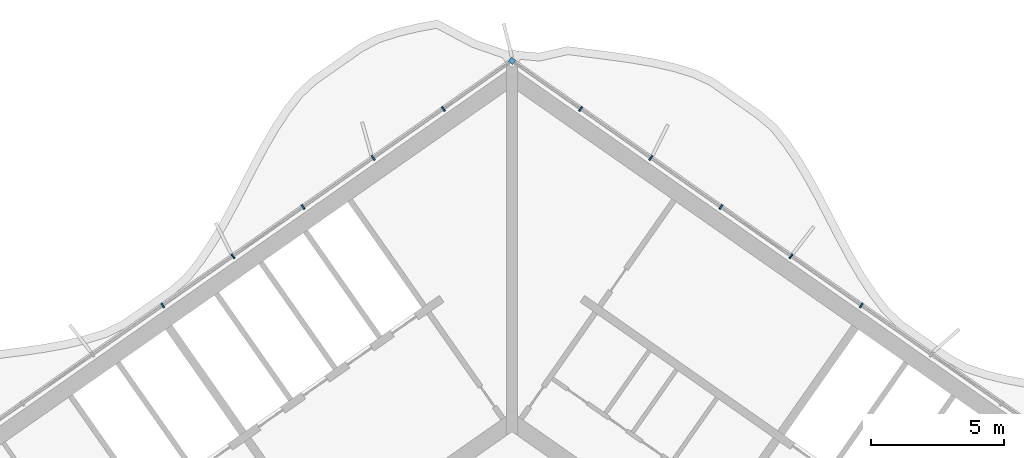
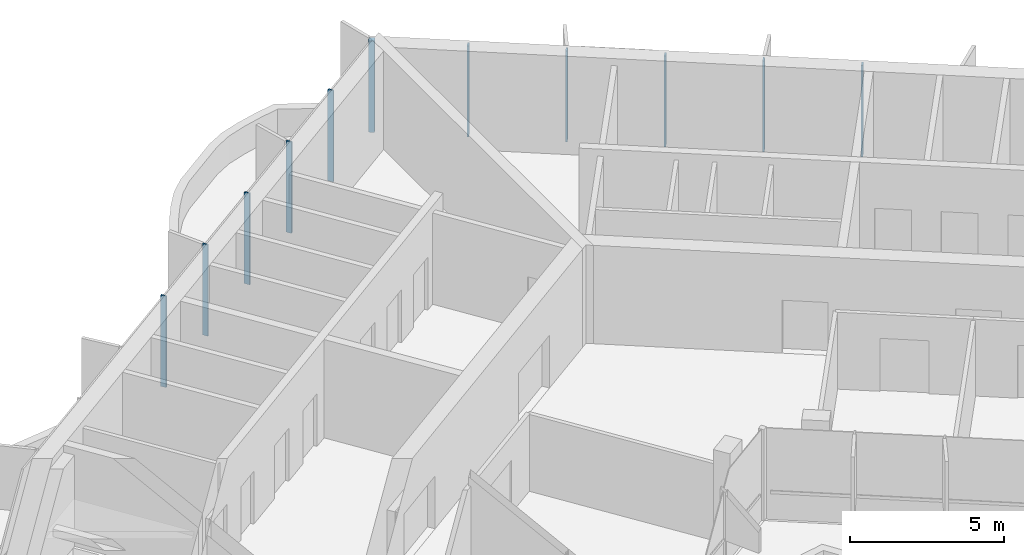
# One storey, part 6 of 18: 11 members, 1 element without a shape of its own.
"""IFC4 building model written with IfcOpenShell, lengths in metres."""

from ifc_helpers import new_model, si_unit, direction, frame, origin, origin_2d, place, context, subcontext, project, spatial, rectangle, extrude, material, material_profile, profile_set, type_object, element, aggregate, save


model = new_model("IFC4")

# Units and contexts
model_context = context("Model", 3, precision=1e-05, world=origin(), true_north=direction((0.0, 1.0)))
body_context = subcontext(model_context, "Body", "Model", "MODEL_VIEW")
ifc_project = project(units=[si_unit("LENGTHUNIT", "METRE"), si_unit("AREAUNIT", "SQUARE_METRE"), si_unit("VOLUMEUNIT", "CUBIC_METRE"), si_unit("PLANEANGLEUNIT", "RADIAN"), si_unit("MASSUNIT", "GRAM", prefix="KILO")], contexts=[model_context])

# Site, building, storey
site_placement = place(None, origin())
site = spatial("IfcSite", under=ifc_project, at=site_placement, CompositionType="ELEMENT")
building_placement = place(site_placement, origin())
building = spatial("IfcBuilding", under=site, at=building_placement, Name="Tel Ilan Convention Tower", CompositionType="ELEMENT")
storey_placement = place(building_placement, frame((0.0, 0.0, 264.39990234375)))
storey = spatial("IfcBuildingStorey", under=building, at=storey_placement, Name="L62", CompositionType="ELEMENT", Elevation=264.39990234375)

# Curtain wall, members
ifc_material_1 = material(Name="Aluminium, bronze anodised", Category="aluminium")
curtain_wall_type = type_object("IfcCurtainWallType", Name="CW2 STICK CURTAIN WALL, SPANDREL PANELS", PredefinedType="NOTDEFINED", material=ifc_material_1)
curtain_wall_placement = place(storey_placement, origin())
curtain_wall = element("IfcCurtainWall", 1, at=curtain_wall_placement, inside=storey, type_object=curtain_wall_type, Name="Curtain wall CW2-47.01", PredefinedType="NOTDEFINED")
ifc_material_2 = material(Name="Aluminium, bronze anodised", Category="aluminium")
ifc_material_profile_1 = material_profile(ifc_material_2, rectangle(XDim=0.199951171875, YDim=0.199951171875, at=origin_2d()), Name="CW CORNER MULLION 200x200")
ifc_profile_set_1 = profile_set([ifc_material_profile_1], Name="Aluminium, bronze anodised")
member_type_1 = type_object("IfcMemberType", Name="CW CORNER MULLION 200x200", PredefinedType="MULLION", material=ifc_profile_set_1)
member_1_placement = place(storey_placement, frame((0.0, 12.696044921875, 0.0), z_axis=(0.0, 0.0, 1.0), x_axis=(-0.819152044289, 0.573576436351, 0.0)))
member_1 = element("IfcMember", 2, at=member_1_placement, type_object=member_type_1, Name="Corner mullion", PredefinedType="MULLION", context=body_context, shape_type="SweptSolid", body=[
    extrude(rectangle(XDim=0.199951171875, YDim=0.199951171875, at=origin_2d()), origin(), (0.0, 0.0, 1.0), 3.6201171875),
])
ifc_material_3 = material(Name="Aluminium, bronze anodised", Category="aluminium")
ifc_material_profile_2 = material_profile(ifc_material_3, rectangle(XDim=0.06005859375, YDim=0.199951171875, at=origin_2d()), Name="CW MULLION 60x200")
ifc_profile_set_2 = profile_set([ifc_material_profile_2], Name="Aluminium, bronze anodised")
member_type_2 = type_object("IfcMemberType", Name="CW MULLION 60x200", PredefinedType="MULLION", material=ifc_profile_set_2)
member_2_placement = place(storey_placement, frame((13.105712890625, 3.519287109375, 0.0), z_axis=(0.0, 0.0, 1.0), x_axis=(-0.819152044289, 0.573576436351, 0.0)))
member_2 = element("IfcMember", 3, at=member_2_placement, type_object=member_type_2, Name="Mullion", PredefinedType="MULLION", context=body_context, shape_type="SweptSolid", body=[
    extrude(rectangle(XDim=0.06005859375, YDim=0.199951171875, at=origin_2d()), origin(), (0.0, 0.0, 1.0), 3.6201171875),
])
member_3_placement = place(storey_placement, frame((10.47314453125, 5.36279296875, 0.0), z_axis=(0.0, 0.0, 1.0), x_axis=(-0.819152044289, 0.573576436351, 0.0)))
member_3 = element("IfcMember", 4, at=member_3_placement, type_object=member_type_2, Name="Mullion", PredefinedType="MULLION", context=body_context, shape_type="SweptSolid", body=[
    extrude(rectangle(XDim=0.06005859375, YDim=0.199951171875, at=origin_2d()), origin(), (0.0, 0.0, 1.0), 3.6201171875),
])
member_4_placement = place(storey_placement, frame((7.840576171875, 7.2060546875, 0.0), z_axis=(0.0, 0.0, 1.0), x_axis=(-0.819152044289, 0.573576436351, 0.0)))
member_4 = element("IfcMember", 5, at=member_4_placement, type_object=member_type_2, Name="Mullion", PredefinedType="MULLION", context=body_context, shape_type="SweptSolid", body=[
    extrude(rectangle(XDim=0.06005859375, YDim=0.199951171875, at=origin_2d()), origin(), (0.0, 0.0, 1.0), 3.6201171875),
])
member_5_placement = place(storey_placement, frame((5.207763671875, 9.049560546875, 0.0), z_axis=(0.0, 0.0, 1.0), x_axis=(-0.819152044289, 0.573576436351, 0.0)))
member_5 = element("IfcMember", 6, at=member_5_placement, type_object=member_type_2, Name="Mullion", PredefinedType="MULLION", context=body_context, shape_type="SweptSolid", body=[
    extrude(rectangle(XDim=0.06005859375, YDim=0.199951171875, at=origin_2d()), origin(), (0.0, 0.0, 1.0), 3.6201171875),
])
member_6_placement = place(storey_placement, frame((2.5751953125, 10.892822265625, 0.0), z_axis=(0.0, 0.0, 1.0), x_axis=(-0.819152044289, 0.573576436351, 0.0)))
member_6 = element("IfcMember", 7, at=member_6_placement, type_object=member_type_2, Name="Mullion", PredefinedType="MULLION", context=body_context, shape_type="SweptSolid", body=[
    extrude(rectangle(XDim=0.06005859375, YDim=0.199951171875, at=origin_2d()), origin(), (0.0, 0.0, 1.0), 3.6201171875),
])
member_7_placement = place(storey_placement, frame((-2.5751953125, 10.892822265625, 0.0), z_axis=(0.0, 0.0, 1.0), x_axis=(-0.819152044289, -0.573576436351, 0.0)))
member_7 = element("IfcMember", 8, at=member_7_placement, type_object=member_type_2, Name="Mullion", PredefinedType="MULLION", context=body_context, shape_type="SweptSolid", body=[
    extrude(rectangle(XDim=0.06005859375, YDim=0.199951171875, at=origin_2d()), origin(), (0.0, 0.0, 1.0), 3.6201171875),
])
member_8_placement = place(storey_placement, frame((-5.207763671875, 9.049560546875, 0.0), z_axis=(0.0, 0.0, 1.0), x_axis=(-0.819152044289, -0.573576436351, 0.0)))
member_8 = element("IfcMember", 9, at=member_8_placement, type_object=member_type_2, Name="Mullion", PredefinedType="MULLION", context=body_context, shape_type="SweptSolid", body=[
    extrude(rectangle(XDim=0.06005859375, YDim=0.199951171875, at=origin_2d()), origin(), (0.0, 0.0, 1.0), 3.6201171875),
])
member_9_placement = place(storey_placement, frame((-7.840576171875, 7.2060546875, 0.0), z_axis=(0.0, 0.0, 1.0), x_axis=(-0.819152044289, -0.573576436351, 0.0)))
member_9 = element("IfcMember", 10, at=member_9_placement, type_object=member_type_2, Name="Mullion", PredefinedType="MULLION", context=body_context, shape_type="SweptSolid", body=[
    extrude(rectangle(XDim=0.06005859375, YDim=0.199951171875, at=origin_2d()), origin(), (0.0, 0.0, 1.0), 3.6201171875),
])
member_10_placement = place(storey_placement, frame((-10.47314453125, 5.36279296875, 0.0), z_axis=(0.0, 0.0, 1.0), x_axis=(-0.819152044289, -0.573576436351, 0.0)))
member_10 = element("IfcMember", 11, at=member_10_placement, type_object=member_type_2, Name="Mullion", PredefinedType="MULLION", context=body_context, shape_type="SweptSolid", body=[
    extrude(rectangle(XDim=0.06005859375, YDim=0.199951171875, at=origin_2d()), origin(), (0.0, 0.0, 1.0), 3.6201171875),
])
member_11_placement = place(storey_placement, frame((-13.105712890625, 3.519287109375, 0.0), z_axis=(0.0, 0.0, 1.0), x_axis=(-0.819152044289, -0.573576436351, 0.0)))
member_11 = element("IfcMember", 12, at=member_11_placement, type_object=member_type_2, Name="Mullion", PredefinedType="MULLION", context=body_context, shape_type="SweptSolid", body=[
    extrude(rectangle(XDim=0.06005859375, YDim=0.199951171875, at=origin_2d()), origin(), (0.0, 0.0, 1.0), 3.6201171875),
])
aggregate(curtain_wall, [member_2, member_3, member_4, member_5, member_6, member_1, member_7, member_8, member_9, member_10, member_11])

save(model, "model.ifc")
